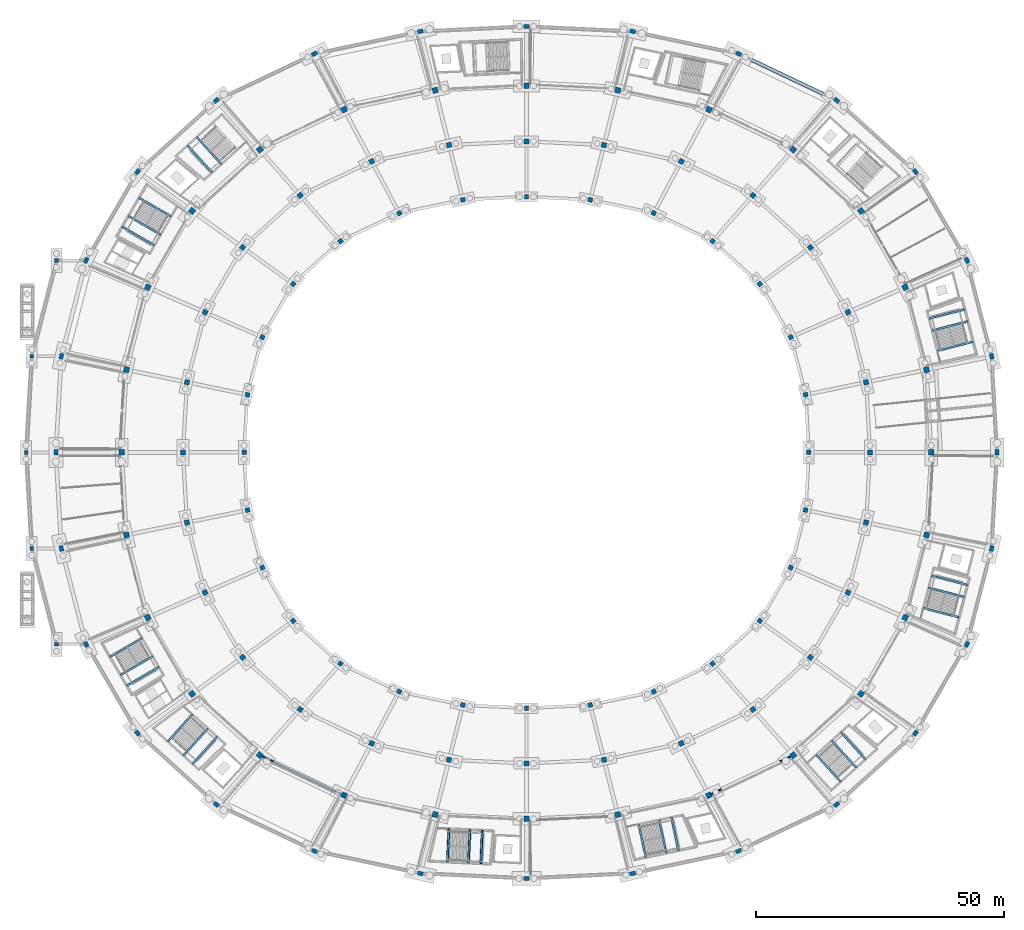
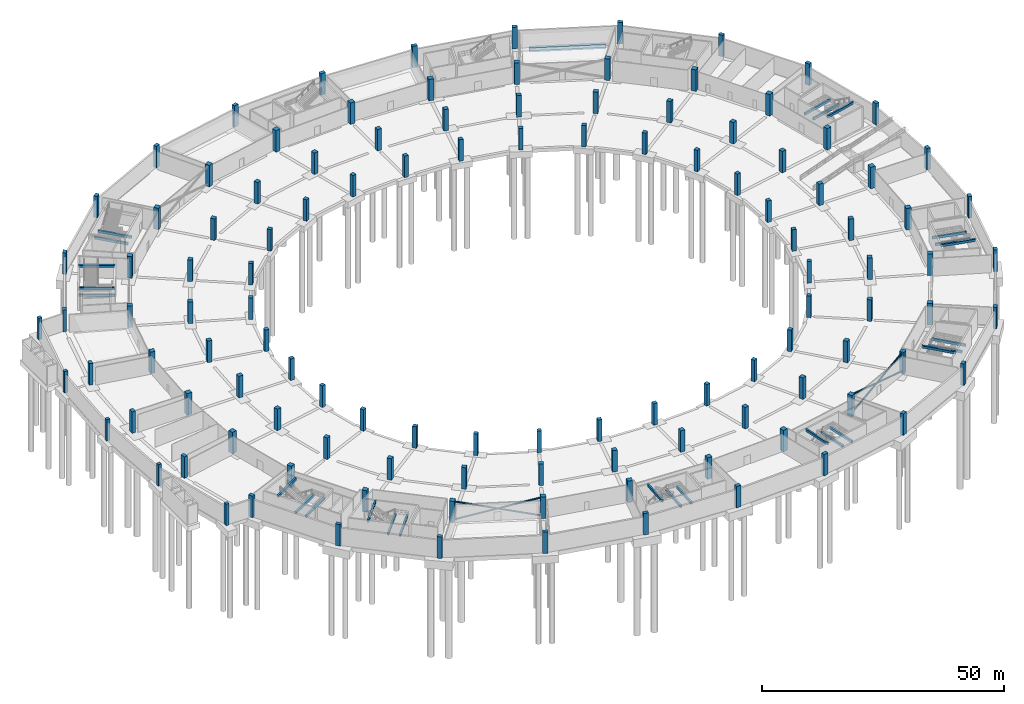
# One storey, part 7 of 49: 117 columns, 26 beams, 4 members, 1 footing.
"""IFC4 building model written with IfcOpenShell, lengths in metres."""

from ifc_helpers import new_model, si_unit, direction, frame, origin, origin_2d, place, context, subcontext, project, spatial, rectangle, hollow_circle, extrude, material, material_profile, profile_set, type_object, element, save


model = new_model("IFC4")

# Units and contexts
model_context = context("Model", 3, precision=1e-05, world=origin(), true_north=direction((0.0, 1.0)))
body_context = subcontext(model_context, "Body", "Model", "MODEL_VIEW")
ifc_project = project(units=[si_unit("LENGTHUNIT", "METRE"), si_unit("AREAUNIT", "SQUARE_METRE"), si_unit("VOLUMEUNIT", "CUBIC_METRE"), si_unit("PLANEANGLEUNIT", "RADIAN"), si_unit("MASSUNIT", "GRAM", prefix="KILO")], contexts=[model_context])

# Site, building, storey
site_placement = place(None, origin())
site = spatial("IfcSite", under=ifc_project, at=site_placement, CompositionType="ELEMENT")
building_placement = place(site_placement, origin())
building = spatial("IfcBuilding", under=site, at=building_placement, Name="Kazemori Nagisa Stadium", CompositionType="ELEMENT")
storey_placement = place(building_placement, frame((0.0, 0.0, -5.43994140625)))
storey = spatial("IfcBuildingStorey", under=building, at=storey_placement, Name="B1", CompositionType="ELEMENT", Elevation=-5.43994140625)

# Footing
ifc_material_1 = material(Name="Concrete C40/50 (Fc42)", Category="concrete")
ifc_material_profile_1 = material_profile(ifc_material_1, rectangle(XDim=0.75, YDim=1.050048828125, at=origin_2d()), Name="RC-FB-750x1050")
ifc_profile_set_1 = profile_set([ifc_material_profile_1], Name="Concrete C40/50 (Fc42)")
footing_type = type_object("IfcFootingType", Name="FootingBeam_FB-04", PredefinedType="FOOTING_BEAM", material=ifc_profile_set_1)
footing_placement = place(storey_placement, frame((182.906494140625, 174.337890625, -0.525146484375), z_axis=(-0.903214630343, 0.42918915589, 0.0), x_axis=(-0.42918915589, -0.903214630343, 0.0)))
element("IfcFooting", 1, at=footing_placement, inside=storey, type_object=footing_type, Name="Footing tie beam FB-04 R3-05", PredefinedType="FOOTING_BEAM", context=body_context, shape_type="SweptSolid", body=[
    extrude(rectangle(XDim=0.75, YDim=1.050048828125, at=origin_2d()), origin(), (0.0, 0.0, 1.0), 15.954345703125),
])

# Columns
ifc_material_profile_2 = material_profile(ifc_material_1, rectangle(XDim=1.0, YDim=1.0, at=origin_2d()), Name="RC-COL-1000x1000")
ifc_profile_set_2 = profile_set([ifc_material_profile_2], Name="Concrete C40/50 (Fc42)")
column_type_1 = type_object("IfcColumnType", Name="Column_C-RC1000", PredefinedType="COLUMN", material=ifc_profile_set_2)
for number, where, z_axis, x_axis, name in (
    (2, (192.35009765625, 102.0, 0.0), (0.0, 0.0, 1.0), (1.0, 0.0, 0.0), "Column C-RC1000 B1 R1-01"),
    (3, (191.532958984375, 116.160400390625, 0.0), (0.0, 0.0, 1.0), (0.974927912182, 0.222520933954, 0.0), "Column C-RC1000 B1 R1-02"),
    (4, (187.885986328125, 130.287109375, 0.0), (0.0, 0.0, 1.0), (0.900968867905, 0.433883739113, 0.0), "Column C-RC1000 B1 R1-03"),
    (5, (180.301513671875, 143.367431640625, 0.0), (0.0, 0.0, 1.0), (0.781831482473, 0.623489801853, 0.0), "Column C-RC1000 B1 R1-04"),
    (6, (168.696533203125, 153.873046875, 0.0), (0.0, 0.0, 1.0), (0.623489801853, 0.781831482473, 0.0), "Column C-RC1000 B1 R1-05"),
    (7, (154.24755859375, 160.739013671875, 0.0), (0.0, 0.0, 1.0), (0.433883739113, 0.900968867905, 0.0), "Column C-RC1000 B1 R1-06"),
    (8, (138.64208984375, 164.040283203125, 0.0), (0.0, 0.0, 1.0), (0.222520933954, 0.974927912182, 0.0), "Column C-RC1000 B1 R1-07"),
    (9, (123.0, 164.780029296875, 0.0), (0.0, 0.0, 1.0), (0.0, 1.0, 0.0), "Column C-RC1000 B1 R1-08"),
    (10, (107.35791015625, 164.040283203125, 0.0), (0.0, 0.0, 1.0), (-0.222520933954, 0.974927912182, 0.0), "Column C-RC1000 B1 R1-09"),
    (11, (91.75244140625, 160.739013671875, 0.0), (0.0, 0.0, 1.0), (-0.433883739113, 0.900968867905, 0.0), "Column C-RC1000 B1 R1-10"),
    (12, (77.303466796875, 153.873046875, 0.0), (0.0, 0.0, 1.0), (-0.623489801853, 0.781831482473, 0.0), "Column C-RC1000 B1 R1-11"),
    (13, (65.698486328125, 143.367431640625, 0.0), (0.0, 0.0, 1.0), (-0.781831482473, 0.623489801853, 0.0), "Column C-RC1000 B1 R1-12"),
    (14, (58.114013671875, 130.287109375, 0.0), (0.0, 0.0, 1.0), (-0.900968867905, 0.433883739113, 0.0), "Column C-RC1000 B1 R1-13"),
    (15, (54.467041015625, 116.160400390625, 0.0), (0.0, 0.0, 1.0), (-0.974927912182, 0.222520933954, 0.0), "Column C-RC1000 B1 R1-14"),
    (16, (53.64990234375, 102.0, 0.0), (0.0, 0.0, 1.0), (-1.0, 0.0, 0.0), "Column C-RC1000 B1 R1-15"),
    (17, (54.467041015625, 87.839599609375, 0.0), (0.0, 0.0, 1.0), (-0.974927912182, -0.222520933954, 0.0), "Column C-RC1000 B1 R1-16"),
    (18, (58.114013671875, 73.712890625, 0.0), (0.0, 0.0, 1.0), (-0.900968867905, -0.433883739113, 0.0), "Column C-RC1000 B1 R1-17"),
    (19, (65.698486328125, 60.632568359375, 0.0), (0.0, 0.0, 1.0), (-0.781831482473, -0.623489801853, 0.0), "Column C-RC1000 B1 R1-18"),
    (20, (77.303466796875, 50.126953125, 0.0), (0.0, 0.0, 1.0), (-0.623489801853, -0.781831482473, 0.0), "Column C-RC1000 B1 R1-19"),
    (21, (91.75244140625, 43.260986328125, 0.0), (0.0, 0.0, 1.0), (-0.433883739113, -0.900968867905, 0.0), "Column C-RC1000 B1 R1-20"),
    (22, (107.35791015625, 39.959716796875, 0.0), (0.0, 0.0, 1.0), (-0.222520933954, -0.974927912182, 0.0), "Column C-RC1000 B1 R1-21"),
    (23, (123.0, 39.219970703125, 0.0), (0.0, 0.0, 1.0), (0.0, -1.0, 0.0), "Column C-RC1000 B1 R1-22"),
    (24, (138.64208984375, 39.959716796875, 0.0), (0.0, 0.0, 1.0), (0.222520933954, -0.974927912182, 0.0), "Column C-RC1000 B1 R1-23"),
    (25, (154.24755859375, 43.260986328125, 0.0), (0.0, 0.0, 1.0), (0.433883739113, -0.900968867905, 0.0), "Column C-RC1000 B1 R1-24"),
    (26, (168.696533203125, 50.126953125, 0.0), (0.0, 0.0, 1.0), (0.623489801853, -0.781831482473, 0.0), "Column C-RC1000 B1 R1-25"),
    (27, (180.301513671875, 60.632568359375, 0.0), (0.0, 0.0, 1.0), (0.781831482473, -0.623489801853, 0.0), "Column C-RC1000 B1 R1-26"),
    (28, (187.885986328125, 73.712890625, 0.0), (0.0, 0.0, 1.0), (0.900968867905, -0.433883739113, 0.0), "Column C-RC1000 B1 R1-27"),
    (29, (191.532958984375, 87.839599609375, 0.0), (0.0, 0.0, 1.0), (0.974927912182, -0.222520933954, 0.0), "Column C-RC1000 B1 R1-28"),
):
    element("IfcColumn", number, at=place(storey_placement, frame(where, z_axis=z_axis, x_axis=x_axis)), inside=storey, type_object=column_type_1, Name=name, PredefinedType="COLUMN", context=body_context, shape_type="SweptSolid", body=[
        extrude(rectangle(XDim=1.0, YDim=1.0, at=origin_2d()), origin(), (0.0, 0.0, 1.0), 5.43994140625),
    ])
ifc_material_profile_3 = material_profile(ifc_material_1, rectangle(XDim=1.10009765625, YDim=1.10009765625, at=origin_2d()), Name="RC-COL-1100x1100")
ifc_profile_set_3 = profile_set([ifc_material_profile_3], Name="Concrete C40/50 (Fc42)")
column_type_2 = type_object("IfcColumnType", Name="Column_C-RC1100", PredefinedType="COLUMN", material=ifc_profile_set_3)
for number, where, z_axis, x_axis, name in (
    (30, (204.699951171875, 102.0, 0.0), (0.0, 0.0, 1.0), (1.0, 0.0, 0.0), "Column C-RC1100 B1 R2-01"),
    (31, (203.737548828125, 118.68212890625, 0.0), (0.0, 0.0, 1.0), (0.974927912182, 0.222520933954, 0.0), "Column C-RC1100 B1 R2-02"),
    (32, (199.44091796875, 135.32470703125, 0.0), (0.0, 0.0, 1.0), (0.900968867905, 0.433883739113, 0.0), "Column C-RC1100 B1 R2-03"),
    (33, (190.506103515625, 150.734130859375, 0.0), (0.0, 0.0, 1.0), (0.781831482473, 0.623489801853, 0.0), "Column C-RC1100 B1 R2-04"),
    (34, (176.834228515625, 163.11083984375, 0.0), (0.0, 0.0, 1.0), (0.623489801853, 0.781831482473, 0.0), "Column C-RC1100 B1 R2-05"),
    (35, (159.81201171875, 171.19921875, 0.0), (0.0, 0.0, 1.0), (0.433883739113, 0.900968867905, 0.0), "Column C-RC1100 B1 R2-06"),
    (36, (141.427734375, 175.088623046875, 0.0), (0.0, 0.0, 1.0), (0.222520933954, 0.974927912182, 0.0), "Column C-RC1100 B1 R2-07"),
    (37, (123.0, 175.9599609375, 0.0), (0.0, 0.0, 1.0), (0.0, 1.0, 0.0), "Column C-RC1100 B1 R2-08"),
    (38, (104.572265625, 175.088623046875, 0.0), (0.0, 0.0, 1.0), (-0.222520933954, 0.974927912182, 0.0), "Column C-RC1100 B1 R2-09"),
    (39, (86.18798828125, 171.19921875, 0.0), (0.0, 0.0, 1.0), (-0.433883739113, 0.900968867905, 0.0), "Column C-RC1100 B1 R2-10"),
    (40, (69.165771484375, 163.11083984375, 0.0), (0.0, 0.0, 1.0), (-0.623489801853, 0.781831482473, 0.0), "Column C-RC1100 B1 R2-11"),
    (41, (55.493896484375, 150.734130859375, 0.0), (0.0, 0.0, 1.0), (-0.781831482473, 0.623489801853, 0.0), "Column C-RC1100 B1 R2-12"),
    (42, (46.55908203125, 135.32470703125, 0.0), (0.0, 0.0, 1.0), (-0.900968867905, 0.433883739113, 0.0), "Column C-RC1100 B1 R2-13"),
    (43, (42.262451171875, 118.68212890625, 0.0), (0.0, 0.0, 1.0), (-0.974927912182, 0.222520933954, 0.0), "Column C-RC1100 B1 R2-14"),
    (44, (41.300048828125, 102.0, 0.0), (0.0, 0.0, 1.0), (-1.0, 0.0, 0.0), "Column C-RC1100 B1 R2-15"),
    (45, (42.262451171875, 85.31787109375, 0.0), (0.0, 0.0, 1.0), (-0.974927912182, -0.222520933954, 0.0), "Column C-RC1100 B1 R2-16"),
    (46, (46.55908203125, 68.67529296875, 0.0), (0.0, 0.0, 1.0), (-0.900968867905, -0.433883739113, 0.0), "Column C-RC1100 B1 R2-17"),
    (47, (55.493896484375, 53.265869140625, 0.0), (0.0, 0.0, 1.0), (-0.781831482473, -0.623489801853, 0.0), "Column C-RC1100 B1 R2-18"),
    (48, (69.165771484375, 40.88916015625, 0.0), (0.0, 0.0, 1.0), (-0.623489801853, -0.781831482473, 0.0), "Column C-RC1100 B1 R2-19"),
    (49, (86.18798828125, 32.80078125, 0.0), (0.0, 0.0, 1.0), (-0.433883739113, -0.900968867905, 0.0), "Column C-RC1100 B1 R2-20"),
    (50, (104.572265625, 28.911376953125, 0.0), (0.0, 0.0, 1.0), (-0.222520933954, -0.974927912182, 0.0), "Column C-RC1100 B1 R2-21"),
    (51, (123.0, 28.0400390625, 0.0), (0.0, 0.0, 1.0), (0.0, -1.0, 0.0), "Column C-RC1100 B1 R2-22"),
    (52, (141.427734375, 28.911376953125, 0.0), (0.0, 0.0, 1.0), (0.222520933954, -0.974927912182, 0.0), "Column C-RC1100 B1 R2-23"),
    (53, (159.81201171875, 32.80078125, 0.0), (0.0, 0.0, 1.0), (0.433883739113, -0.900968867905, 0.0), "Column C-RC1100 B1 R2-24"),
    (54, (176.834228515625, 40.88916015625, 0.0), (0.0, 0.0, 1.0), (0.623489801853, -0.781831482473, 0.0), "Column C-RC1100 B1 R2-25"),
    (55, (190.506103515625, 53.265869140625, 0.0), (0.0, 0.0, 1.0), (0.781831482473, -0.623489801853, 0.0), "Column C-RC1100 B1 R2-26"),
    (56, (199.44091796875, 68.67529296875, 0.0), (0.0, 0.0, 1.0), (0.900968867905, -0.433883739113, 0.0), "Column C-RC1100 B1 R2-27"),
    (57, (203.737548828125, 85.31787109375, 0.0), (0.0, 0.0, 1.0), (0.974927912182, -0.222520933954, 0.0), "Column C-RC1100 B1 R2-28"),
):
    element("IfcColumn", number, at=place(storey_placement, frame(where, z_axis=z_axis, x_axis=x_axis)), inside=storey, type_object=column_type_2, Name=name, PredefinedType="COLUMN", context=body_context, shape_type="SweptSolid", body=[
        extrude(rectangle(XDim=1.10009765625, YDim=1.10009765625, at=origin_2d()), origin(), (0.0, 0.0, 1.0), 5.43994140625),
    ])
ifc_material_profile_4 = material_profile(ifc_material_1, rectangle(XDim=0.75, YDim=0.75, at=origin_2d()), Name="RC-COL-750x750")
ifc_profile_set_4 = profile_set([ifc_material_profile_4], Name="Concrete C40/50 (Fc42)")
column_type_3 = type_object("IfcColumnType", Name="Column_C-RC750", PredefinedType="COLUMN", material=ifc_profile_set_4)
for number, where, z_axis, x_axis, name in (
    (58, (28.114990234375, 140.74951171875, 0.0), (0.0, 0.0, 1.0), (1.0, 0.0, 0.0), "Boulevard column C-RC750 B1 R4-13"),
    (59, (23.119140625, 121.397705078125, 0.0), (0.0, 0.0, 1.0), (1.0, 0.0, 0.0), "Boulevard column C-RC750 B1 R4-14"),
    (60, (22.0, 102.0, 0.0), (0.0, 0.0, 1.0), (1.0, 0.0, 0.0), "Boulevard column C-RC750 B1 R4-15"),
    (61, (23.119140625, 82.602294921875, 0.0), (0.0, 0.0, 1.0), (1.0, 0.0, 0.0), "Boulevard column C-RC750 B1 R4-16"),
    (62, (28.114990234375, 63.25048828125, 0.0), (0.0, 0.0, 1.0), (1.0, 0.0, 0.0), "Boulevard column C-RC750 B1 R4-17"),
):
    element("IfcColumn", number, at=place(storey_placement, frame(where, z_axis=z_axis, x_axis=x_axis)), inside=storey, type_object=column_type_3, Name=name, PredefinedType="COLUMN", context=body_context, shape_type="SweptSolid", body=[
        extrude(rectangle(XDim=0.75, YDim=0.75, at=origin_2d()), origin(), (0.0, 0.0, 1.0), 5.43994140625),
    ])
ifc_material_profile_5 = material_profile(ifc_material_1, rectangle(XDim=0.800048828125, YDim=1.10009765625, at=origin_2d()), Name="RC-COL-800x1100")
ifc_profile_set_5 = profile_set([ifc_material_profile_5], Name="Concrete C40/50 (Fc42)")
column_type_4 = type_object("IfcColumnType", Name="Column_C-RC800X1100", PredefinedType="COLUMN", material=ifc_profile_set_5)
for number, where, z_axis, x_axis, name in (
    (63, (218.0, 102.0, 0.0), (0.0, 0.0, 1.0), (1.0, 0.0, 0.0), "Column C-RC800X1100 B1 R3-01"),
    (64, (216.880859375, 121.397705078125, 0.0), (0.0, 0.0, 1.0), (0.974927912182, 0.222520933954, 0.0), "Column C-RC800X1100 B1 R3-02"),
    (65, (211.885009765625, 140.74951171875, 0.0), (0.0, 0.0, 1.0), (0.900968867905, 0.433883739113, 0.0), "Column C-RC800X1100 B1 R3-03"),
    (66, (201.495361328125, 158.667724609375, 0.0), (0.0, 0.0, 1.0), (0.781831482473, 0.623489801853, 0.0), "Column C-RC800X1100 B1 R3-04"),
    (67, (185.597900390625, 173.05908203125, 0.0), (0.0, 0.0, 1.0), (0.623489801853, 0.781831482473, 0.0), "Column C-RC800X1100 B1 R3-05"),
    (68, (165.8046875, 182.46435546875, 0.0), (0.0, 0.0, 1.0), (0.433883739113, 0.900968867905, 0.0), "Column C-RC800X1100 B1 R3-06"),
    (69, (144.427734375, 186.98681640625, 0.0), (0.0, 0.0, 1.0), (0.222520933954, 0.974927912182, 0.0), "Column C-RC800X1100 B1 R3-07"),
    (70, (123.0, 188.0, 0.0), (0.0, 0.0, 1.0), (0.0, 1.0, 0.0), "Column C-RC800X1100 B1 R3-08"),
    (71, (101.572265625, 186.98681640625, 0.0), (0.0, 0.0, 1.0), (-0.222520933954, 0.974927912182, 0.0), "Column C-RC800X1100 B1 R3-09"),
    (72, (80.1953125, 182.46435546875, 0.0), (0.0, 0.0, 1.0), (-0.433883739113, 0.900968867905, 0.0), "Column C-RC800X1100 B1 R3-10"),
    (73, (60.402099609375, 173.05908203125, 0.0), (0.0, 0.0, 1.0), (-0.623489801853, 0.781831482473, 0.0), "Column C-RC800X1100 B1 R3-11"),
    (74, (44.504638671875, 158.667724609375, 0.0), (0.0, 0.0, 1.0), (-0.781831482473, 0.623489801853, 0.0), "Column C-RC800X1100 B1 R3-12"),
    (75, (34.114990234375, 140.74951171875, 0.0), (0.0, 0.0, 1.0), (-0.900968867905, 0.433883739113, 0.0), "Column C-RC800X1100 B1 R3-13"),
    (76, (29.119140625, 121.397705078125, 0.0), (0.0, 0.0, 1.0), (-0.974927912182, 0.222520933954, 0.0), "Column C-RC800X1100 B1 R3-14"),
    (77, (28.0, 102.0, 0.0), (0.0, 0.0, 1.0), (-1.0, 0.0, 0.0), "Column C-RC800X1100 B1 R3-15"),
    (78, (29.119140625, 82.602294921875, 0.0), (0.0, 0.0, 1.0), (-0.974927912182, -0.222520933954, 0.0), "Column C-RC800X1100 B1 R3-16"),
    (79, (34.114990234375, 63.25048828125, 0.0), (0.0, 0.0, 1.0), (-0.900968867905, -0.433883739113, 0.0), "Column C-RC800X1100 B1 R3-17"),
    (80, (44.504638671875, 45.332275390625, 0.0), (0.0, 0.0, 1.0), (-0.781831482473, -0.623489801853, 0.0), "Column C-RC800X1100 B1 R3-18"),
    (81, (60.402099609375, 30.94091796875, 0.0), (0.0, 0.0, 1.0), (-0.623489801853, -0.781831482473, 0.0), "Column C-RC800X1100 B1 R3-19"),
    (82, (80.1953125, 21.53564453125, 0.0), (0.0, 0.0, 1.0), (-0.433883739113, -0.900968867905, 0.0), "Column C-RC800X1100 B1 R3-20"),
    (83, (101.572265625, 17.01318359375, 0.0), (0.0, 0.0, 1.0), (-0.222520933954, -0.974927912182, 0.0), "Column C-RC800X1100 B1 R3-21"),
    (84, (123.0, 16.0, 0.0), (0.0, 0.0, 1.0), (0.0, -1.0, 0.0), "Column C-RC800X1100 B1 R3-22"),
    (85, (144.427734375, 17.01318359375, 0.0), (0.0, 0.0, 1.0), (0.222520933954, -0.974927912182, 0.0), "Column C-RC800X1100 B1 R3-23"),
    (86, (165.8046875, 21.53564453125, 0.0), (0.0, 0.0, 1.0), (0.433883739113, -0.900968867905, 0.0), "Column C-RC800X1100 B1 R3-24"),
    (87, (185.597900390625, 30.94091796875, 0.0), (0.0, 0.0, 1.0), (0.623489801853, -0.781831482473, 0.0), "Column C-RC800X1100 B1 R3-25"),
    (88, (201.495361328125, 45.332275390625, 0.0), (0.0, 0.0, 1.0), (0.781831482473, -0.623489801853, 0.0), "Column C-RC800X1100 B1 R3-26"),
    (89, (211.885009765625, 63.25048828125, 0.0), (0.0, 0.0, 1.0), (0.900968867905, -0.433883739113, 0.0), "Column C-RC800X1100 B1 R3-27"),
    (90, (216.880859375, 82.602294921875, 0.0), (0.0, 0.0, 1.0), (0.974927912182, -0.222520933954, 0.0), "Column C-RC800X1100 B1 R3-28"),
):
    element("IfcColumn", number, at=place(storey_placement, frame(where, z_axis=z_axis, x_axis=x_axis)), inside=storey, type_object=column_type_4, Name=name, PredefinedType="COLUMN", context=body_context, shape_type="SweptSolid", body=[
        extrude(rectangle(XDim=0.800048828125, YDim=1.10009765625, at=origin_2d()), origin(), (0.0, 0.0, 1.0), 5.43994140625),
    ])
ifc_material_profile_6 = material_profile(ifc_material_1, rectangle(XDim=0.89990234375, YDim=0.89990234375, at=origin_2d()), Name="RC-COL-900x900")
ifc_profile_set_6 = profile_set([ifc_material_profile_6], Name="Concrete C40/50 (Fc42)")
column_type_5 = type_object("IfcColumnType", Name="Column_C-RC900", PredefinedType="COLUMN", material=ifc_profile_set_6)
for number, where, z_axis, x_axis, name in (
    (91, (180.0, 102.0, 0.0), (0.0, 0.0, 1.0), (1.0, 0.0, 0.0), "Column C-RC900 B1 R0-01"),
    (92, (179.328369140625, 113.638671875, 0.0), (0.0, 0.0, 1.0), (0.974927912182, 0.222520933954, 0.0), "Column C-RC900 B1 R0-02"),
    (93, (176.3310546875, 125.249755859375, 0.0), (0.0, 0.0, 1.0), (0.900968867905, 0.433883739113, 0.0), "Column C-RC900 B1 R0-03"),
    (94, (170.09716796875, 136.00048828125, 0.0), (0.0, 0.0, 1.0), (0.781831482473, 0.623489801853, 0.0), "Column C-RC900 B1 R0-04"),
    (95, (160.558837890625, 144.635498046875, 0.0), (0.0, 0.0, 1.0), (0.623489801853, 0.781831482473, 0.0), "Column C-RC900 B1 R0-05"),
    (96, (148.682861328125, 150.278564453125, 0.0), (0.0, 0.0, 1.0), (0.433883739113, 0.900968867905, 0.0), "Column C-RC900 B1 R0-06"),
    (97, (135.856689453125, 152.9921875, 0.0), (0.0, 0.0, 1.0), (0.222520933954, 0.974927912182, 0.0), "Column C-RC900 B1 R0-07"),
    (98, (123.0, 153.60009765625, 0.0), (0.0, 0.0, 1.0), (0.0, 1.0, 0.0), "Column C-RC900 B1 R0-08"),
    (99, (110.143310546875, 152.9921875, 0.0), (0.0, 0.0, 1.0), (-0.222520933954, 0.974927912182, 0.0), "Column C-RC900 B1 R0-09"),
    (100, (97.317138671875, 150.278564453125, 0.0), (0.0, 0.0, 1.0), (-0.433883739113, 0.900968867905, 0.0), "Column C-RC900 B1 R0-10"),
    (101, (85.441162109375, 144.635498046875, 0.0), (0.0, 0.0, 1.0), (-0.623489801853, 0.781831482473, 0.0), "Column C-RC900 B1 R0-11"),
    (102, (75.90283203125, 136.00048828125, 0.0), (0.0, 0.0, 1.0), (-0.781831482473, 0.623489801853, 0.0), "Column C-RC900 B1 R0-12"),
    (103, (69.6689453125, 125.249755859375, 0.0), (0.0, 0.0, 1.0), (-0.900968867905, 0.433883739113, 0.0), "Column C-RC900 B1 R0-13"),
    (104, (66.671630859375, 113.638671875, 0.0), (0.0, 0.0, 1.0), (-0.974927912182, 0.222520933954, 0.0), "Column C-RC900 B1 R0-14"),
    (105, (66.0, 102.0, 0.0), (0.0, 0.0, 1.0), (-1.0, 0.0, 0.0), "Column C-RC900 B1 R0-15"),
    (106, (66.671630859375, 90.361328125, 0.0), (0.0, 0.0, 1.0), (-0.974927912182, -0.222520933954, 0.0), "Column C-RC900 B1 R0-16"),
    (107, (69.6689453125, 78.750244140625, 0.0), (0.0, 0.0, 1.0), (-0.900968867905, -0.433883739113, 0.0), "Column C-RC900 B1 R0-17"),
    (108, (75.90283203125, 67.99951171875, 0.0), (0.0, 0.0, 1.0), (-0.781831482473, -0.623489801853, 0.0), "Column C-RC900 B1 R0-18"),
    (109, (85.441162109375, 59.364501953125, 0.0), (0.0, 0.0, 1.0), (-0.623489801853, -0.781831482473, 0.0), "Column C-RC900 B1 R0-19"),
    (110, (97.317138671875, 53.721435546875, 0.0), (0.0, 0.0, 1.0), (-0.433883739113, -0.900968867905, 0.0), "Column C-RC900 B1 R0-20"),
    (111, (110.143310546875, 51.0078125, 0.0), (0.0, 0.0, 1.0), (-0.222520933954, -0.974927912182, 0.0), "Column C-RC900 B1 R0-21"),
    (112, (123.0, 50.39990234375, 0.0), (0.0, 0.0, 1.0), (0.0, -1.0, 0.0), "Column C-RC900 B1 R0-22"),
    (113, (135.856689453125, 51.0078125, 0.0), (0.0, 0.0, 1.0), (0.222520933954, -0.974927912182, 0.0), "Column C-RC900 B1 R0-23"),
    (114, (148.682861328125, 53.721435546875, 0.0), (0.0, 0.0, 1.0), (0.433883739113, -0.900968867905, 0.0), "Column C-RC900 B1 R0-24"),
    (115, (160.558837890625, 59.364501953125, 0.0), (0.0, 0.0, 1.0), (0.623489801853, -0.781831482473, 0.0), "Column C-RC900 B1 R0-25"),
    (116, (170.09716796875, 67.99951171875, 0.0), (0.0, 0.0, 1.0), (0.781831482473, -0.623489801853, 0.0), "Column C-RC900 B1 R0-26"),
    (117, (176.3310546875, 78.750244140625, 0.0), (0.0, 0.0, 1.0), (0.900968867905, -0.433883739113, 0.0), "Column C-RC900 B1 R0-27"),
    (118, (179.328369140625, 90.361328125, 0.0), (0.0, 0.0, 1.0), (0.974927912182, -0.222520933954, 0.0), "Column C-RC900 B1 R0-28"),
):
    element("IfcColumn", number, at=place(storey_placement, frame(where, z_axis=z_axis, x_axis=x_axis)), inside=storey, type_object=column_type_5, Name=name, PredefinedType="COLUMN", context=body_context, shape_type="SweptSolid", body=[
        extrude(rectangle(XDim=0.89990234375, YDim=0.89990234375, at=origin_2d()), origin(), (0.0, 0.0, 1.0), 5.43994140625),
    ])

# Beams
ifc_material_profile_7 = material_profile(ifc_material_1, rectangle(XDim=0.39990234375, YDim=0.60009765625, at=origin_2d()), Name="RC-BM-400x600")
ifc_profile_set_7 = profile_set([ifc_material_profile_7], Name="Concrete C40/50 (Fc42)")
beam_type = type_object("IfcBeamType", Name="Beam_BG-LND400X600", PredefinedType="BEAM", material=ifc_profile_set_7)
beam_1_placement = place(storey_placement, frame((204.859619140625, 126.593505859375, 2.219970703125), z_axis=(0.968258440217, 0.24995118113, 0.0), x_axis=(-0.24995118113, 0.968258440217, 0.0)))
element("IfcBeam", 119, at=beam_1_placement, inside=storey, type_object=beam_type, Name="Core stair mid-landing girder ST07-B1-1", PredefinedType="BEAM", context=body_context, shape_type="SweptSolid", body=[
    extrude(rectangle(XDim=0.39990234375, YDim=0.60009765625, at=origin_2d()), origin(), (0.0, 0.0, 1.0), 7.46826171875),
])
for number, where, z_axis, x_axis, name in (
    (120, (204.234619140625, 129.013916015625, 2.219970703125), (0.968252570883, 0.249973916595, 0.0), (-0.249973916595, 0.968252570883, 0.0), "Core stair mid-landing girder ST07-B1-2"),
    (121, (205.920654296875, 122.483154296875, 4.83984375), (0.968252570883, 0.249973916595, 0.0), (-0.249973916595, 0.968252570883, 0.0), "Core stair arrival header girder ST07-B1"),
):
    element("IfcBeam", number, at=place(storey_placement, frame(where, z_axis=z_axis, x_axis=x_axis)), inside=storey, type_object=beam_type, Name=name, PredefinedType="BEAM", context=body_context, shape_type="SweptSolid", body=[
        extrude(rectangle(XDim=0.39990234375, YDim=0.60009765625, at=origin_2d()), origin(), (0.0, 0.0, 1.0), 7.468505859375),
    ])
beam_2_placement = place(storey_placement, frame((61.39599609375, 160.164306640625, 2.219970703125), z_axis=(-0.671095068472, 0.741371303108, 0.0), x_axis=(-0.741371303108, -0.671095068472, 0.0)))
element("IfcBeam", 122, at=beam_2_placement, inside=storey, type_object=beam_type, Name="Core stair mid-landing girder ST02-B1-1", PredefinedType="BEAM", context=body_context, shape_type="SweptSolid", body=[
    extrude(rectangle(XDim=0.39990234375, YDim=0.60009765625, at=origin_2d()), origin(), (0.0, 0.0, 1.0), 7.3857421875),
])
beam_3_placement = place(storey_placement, frame((59.542724609375, 158.486572265625, 2.219970703125), z_axis=(-0.671113236271, 0.74135485707, 0.0), x_axis=(-0.74135485707, -0.671113236271, 0.0)))
element("IfcBeam", 123, at=beam_3_placement, inside=storey, type_object=beam_type, Name="Core stair mid-landing girder ST02-B1-2", PredefinedType="BEAM", context=body_context, shape_type="SweptSolid", body=[
    extrude(rectangle(XDim=0.39990234375, YDim=0.60009765625, at=origin_2d()), origin(), (0.0, 0.0, 1.0), 7.385986328125),
])
beam_4_placement = place(storey_placement, frame((49.156494140625, 145.94970703125, 2.219970703125), z_axis=(-0.865108738479, 0.501584360409, 0.0), x_axis=(-0.501584360409, -0.865108738479, 0.0)))
element("IfcBeam", 124, at=beam_4_placement, inside=storey, type_object=beam_type, Name="Core stair mid-landing girder ST08-B1-1", PredefinedType="BEAM", context=body_context, shape_type="SweptSolid", body=[
    extrude(rectangle(XDim=0.39990234375, YDim=0.60009765625, at=origin_2d()), origin(), (0.0, 0.0, 1.0), 7.513671875),
])
beam_5_placement = place(storey_placement, frame((47.90234375, 143.786865234375, 2.219970703125), z_axis=(-0.865094639125, 0.501608677514, 0.0), x_axis=(-0.501608677514, -0.865094639125, 0.0)))
element("IfcBeam", 125, at=beam_5_placement, inside=storey, type_object=beam_type, Name="Core stair mid-landing girder ST08-B1-2", PredefinedType="BEAM", context=body_context, shape_type="SweptSolid", body=[
    extrude(rectangle(XDim=0.39990234375, YDim=0.60009765625, at=origin_2d()), origin(), (0.0, 0.0, 1.0), 7.513916015625),
])
beam_6_placement = place(storey_placement, frame((51.28564453125, 149.621826171875, 4.83984375), z_axis=(-0.865086463473, 0.50162277731, 0.0), x_axis=(-0.50162277731, -0.865086463473, 0.0)))
element("IfcBeam", 126, at=beam_6_placement, inside=storey, type_object=beam_type, Name="Core stair arrival header girder ST08-B1", PredefinedType="BEAM", context=body_context, shape_type="SweptSolid", body=[
    extrude(rectangle(XDim=0.39990234375, YDim=0.60009765625, at=origin_2d()), origin(), (0.0, 0.0, 1.0), 7.513671875),
])
beam_7_placement = place(storey_placement, frame((47.53759765625, 60.84228515625, 2.219970703125), z_axis=(-0.865094639125, -0.501608677514, 0.0), x_axis=(0.501608677514, -0.865094639125, 0.0)))
element("IfcBeam", 127, at=beam_7_placement, inside=storey, type_object=beam_type, Name="Core stair mid-landing girder ST09-B1-1", PredefinedType="BEAM", context=body_context, shape_type="SweptSolid", body=[
    extrude(rectangle(XDim=0.39990234375, YDim=0.60009765625, at=origin_2d()), origin(), (0.0, 0.0, 1.0), 7.513916015625),
])
for number, where, z_axis, x_axis, name in (
    (128, (48.79150390625, 58.6796875, 2.219970703125), (-0.865086463473, -0.50162277731, 0.0), (0.50162277731, -0.865086463473, 0.0), "Core stair mid-landing girder ST09-B1-2"),
    (129, (45.408203125, 64.5146484375, 4.83984375), (-0.865086463473, -0.50162277731, 0.0), (0.50162277731, -0.865086463473, 0.0), "Core stair arrival header girder ST09-B1"),
):
    element("IfcBeam", number, at=place(storey_placement, frame(where, z_axis=z_axis, x_axis=x_axis)), inside=storey, type_object=beam_type, Name=name, PredefinedType="BEAM", context=body_context, shape_type="SweptSolid", body=[
        extrude(rectangle(XDim=0.39990234375, YDim=0.60009765625, at=origin_2d()), origin(), (0.0, 0.0, 1.0), 7.513671875),
    ])
beam_8_placement = place(storey_placement, frame((58.692626953125, 46.282958984375, 2.219970703125), z_axis=(-0.671129682405, -0.741339968837, 0.0), x_axis=(0.741339968837, -0.671129682405, 0.0)))
element("IfcBeam", 130, at=beam_8_placement, inside=storey, type_object=beam_type, Name="Core stair mid-landing girder ST03-B1-1", PredefinedType="BEAM", context=body_context, shape_type="SweptSolid", body=[
    extrude(rectangle(XDim=0.39990234375, YDim=0.60009765625, at=origin_2d()), origin(), (0.0, 0.0, 1.0), 7.3857421875),
])
beam_9_placement = place(storey_placement, frame((60.5458984375, 44.605224609375, 2.219970703125), z_axis=(-0.671113236271, -0.74135485707, 0.0), x_axis=(0.74135485707, -0.671113236271, 0.0)))
element("IfcBeam", 131, at=beam_9_placement, inside=storey, type_object=beam_type, Name="Core stair mid-landing girder ST03-B1-2", PredefinedType="BEAM", context=body_context, shape_type="SweptSolid", body=[
    extrude(rectangle(XDim=0.39990234375, YDim=0.60009765625, at=origin_2d()), origin(), (0.0, 0.0, 1.0), 7.385986328125),
])
beam_10_placement = place(storey_placement, frame((55.545654296875, 49.1318359375, 4.83984375), z_axis=(-0.671129682405, -0.741339968837, 0.0), x_axis=(0.741339968837, -0.671129682405, 0.0)))
element("IfcBeam", 132, at=beam_10_placement, inside=storey, type_object=beam_type, Name="Core stair arrival header girder ST03-B1", PredefinedType="BEAM", context=body_context, shape_type="SweptSolid", body=[
    extrude(rectangle(XDim=0.39990234375, YDim=0.60009765625, at=origin_2d()), origin(), (0.0, 0.0, 1.0), 7.3857421875),
])
for number, where, z_axis, x_axis, name in (
    (133, (111.593017578125, 25.827392578125, 2.219970703125), (-0.047220656191, -0.998884482625, 0.0), (0.998884482625, -0.047220656191, 0.0), "Core stair mid-landing girder ST12-B1-1"),
    (134, (114.09033203125, 25.709228515625, 2.219970703125), (-0.047257010545, -0.998882763368, 0.0), (0.998882763368, -0.047257010545, 0.0), "Core stair mid-landing girder ST12-B1-2"),
    (135, (107.352783203125, 26.02783203125, 4.83984375), (-0.047220656191, -0.998884482625, 0.0), (0.998884482625, -0.047220656191, 0.0), "Core stair arrival header girder ST12-B1"),
):
    element("IfcBeam", number, at=place(storey_placement, frame(where, z_axis=z_axis, x_axis=x_axis)), inside=storey, type_object=beam_type, Name=name, PredefinedType="BEAM", context=body_context, shape_type="SweptSolid", body=[
        extrude(rectangle(XDim=0.39990234375, YDim=0.60009765625, at=origin_2d()), origin(), (0.0, 0.0, 1.0), 6.70068359375),
    ])
for number, where, z_axis, x_axis, name in (
    (136, (149.8056640625, 27.819091796875, 2.219970703125), (0.206997403527, -0.978341491982, 0.0), (0.978341491982, 0.206997403527, 0.0), "Core stair mid-landing girder ST06-B1-1"),
    (137, (152.251708984375, 28.336669921875, 2.219970703125), (0.206963195966, -0.97834872899, 0.0), (0.97834872899, 0.206963195966, 0.0), "Core stair mid-landing girder ST06-B1-2"),
    (138, (145.652587890625, 26.9404296875, 4.83984375), (0.206997403527, -0.978341491982, 0.0), (0.978341491982, 0.206997403527, 0.0), "Core stair arrival header girder ST06-B1"),
):
    element("IfcBeam", number, at=place(storey_placement, frame(where, z_axis=z_axis, x_axis=x_axis)), inside=storey, type_object=beam_type, Name=name, PredefinedType="BEAM", context=body_context, shape_type="SweptSolid", body=[
        extrude(rectangle(XDim=0.39990234375, YDim=0.60009765625, at=origin_2d()), origin(), (0.0, 0.0, 1.0), 6.831298828125),
    ])
beam_11_placement = place(storey_placement, frame((184.60400390625, 43.835693359375, 2.219970703125), z_axis=(0.671095068472, -0.741371303108, 0.0), x_axis=(0.741371303108, 0.671095068472, 0.0)))
element("IfcBeam", 139, at=beam_11_placement, inside=storey, type_object=beam_type, Name="Core stair mid-landing girder ST04-B1-1", PredefinedType="BEAM", context=body_context, shape_type="SweptSolid", body=[
    extrude(rectangle(XDim=0.39990234375, YDim=0.60009765625, at=origin_2d()), origin(), (0.0, 0.0, 1.0), 7.3857421875),
])
for number, where, z_axis, x_axis, name in (
    (140, (186.457275390625, 45.513427734375, 2.219970703125), (0.671113236271, -0.74135485707, 0.0), (0.74135485707, 0.671113236271, 0.0), "Core stair mid-landing girder ST04-B1-2"),
    (141, (181.456787109375, 40.98681640625, 4.83984375), (0.671113236271, -0.74135485707, 0.0), (0.74135485707, 0.671113236271, 0.0), "Core stair arrival header girder ST04-B1"),
):
    element("IfcBeam", number, at=place(storey_placement, frame(where, z_axis=z_axis, x_axis=x_axis)), inside=storey, type_object=beam_type, Name=name, PredefinedType="BEAM", context=body_context, shape_type="SweptSolid", body=[
        extrude(rectangle(XDim=0.39990234375, YDim=0.60009765625, at=origin_2d()), origin(), (0.0, 0.0, 1.0), 7.385986328125),
    ])
beam_12_placement = place(storey_placement, frame((204.156982421875, 74.684814453125, 2.219970703125), z_axis=(0.968258440217, -0.24995118113, 0.0), x_axis=(0.24995118113, 0.968258440217, 0.0)))
element("IfcBeam", 142, at=beam_12_placement, inside=storey, type_object=beam_type, Name="Core stair mid-landing girder ST10-B1-1", PredefinedType="BEAM", context=body_context, shape_type="SweptSolid", body=[
    extrude(rectangle(XDim=0.39990234375, YDim=0.60009765625, at=origin_2d()), origin(), (0.0, 0.0, 1.0), 7.46826171875),
])
for number, where, z_axis, x_axis, name in (
    (143, (204.78173828125, 77.105712890625, 2.219970703125), (0.968252570883, -0.249973916595, 0.0), (0.249973916595, 0.968252570883, 0.0), "Core stair mid-landing girder ST10-B1-2"),
    (144, (203.095703125, 70.57470703125, 4.83984375), (0.968252570883, -0.249973916595, 0.0), (0.249973916595, 0.968252570883, 0.0), "Core stair arrival header girder ST10-B1"),
):
    element("IfcBeam", number, at=place(storey_placement, frame(where, z_axis=z_axis, x_axis=x_axis)), inside=storey, type_object=beam_type, Name=name, PredefinedType="BEAM", context=body_context, shape_type="SweptSolid", body=[
        extrude(rectangle(XDim=0.39990234375, YDim=0.60009765625, at=origin_2d()), origin(), (0.0, 0.0, 1.0), 7.468505859375),
    ])

# Members
ifc_material_2 = material(Name="Steel STK490", Category="steel")
ifc_material_profile_8 = material_profile(ifc_material_2, hollow_circle(Radius=0.203125, WallThickness=0.014404296875, at=origin_2d()), Name="CHS-406.4x14.3")
ifc_profile_set_8 = profile_set([ifc_material_profile_8], Name="Steel STK490")
member_type = type_object("IfcMemberType", Name="Member_TB-CHS406", PredefinedType="BRACE", material=ifc_profile_set_8)
for number, where, z_axis, x_axis, name in (
    (145, (69.165771484375, 40.88916015625, 0.349853515625), (0.87593949142, -0.416216676717, 0.243913274327), (0.42917915404, 0.90321938295, 0.0), "Seismic brace TB-CHS355 B1 B19-A"),
    (146, (86.18798828125, 32.80078125, 0.349853515625), (-0.87593949142, 0.416216676717, 0.243913274327), (-0.42917915404, -0.90321938295, 0.0), "Seismic brace TB-CHS318 B1 B19-B"),
    (147, (159.81201171875, 32.80078125, 0.349853515625), (0.87593949142, 0.416216676717, 0.243913274327), (-0.42917915404, 0.90321938295, 0.0), "Seismic brace TB-CHS355 B1 B24-A"),
    (148, (176.834228515625, 40.88916015625, 0.349853515625), (-0.87593949142, -0.416216676717, 0.243913274327), (0.42917915404, -0.90321938295, 0.0), "Seismic brace TB-CHS318 B1 B24-B"),
):
    element("IfcMember", number, at=place(storey_placement, frame(where, z_axis=z_axis, x_axis=x_axis)), inside=storey, type_object=member_type, Name=name, PredefinedType="BRACE", context=body_context, shape_type="SweptSolid", body=[
        extrude(hollow_circle(Radius=0.203125, WallThickness=0.014404296875, at=origin_2d()), origin(), (0.0, 0.0, 1.0), 19.43310546875),
    ])

save(model, "model.ifc")
